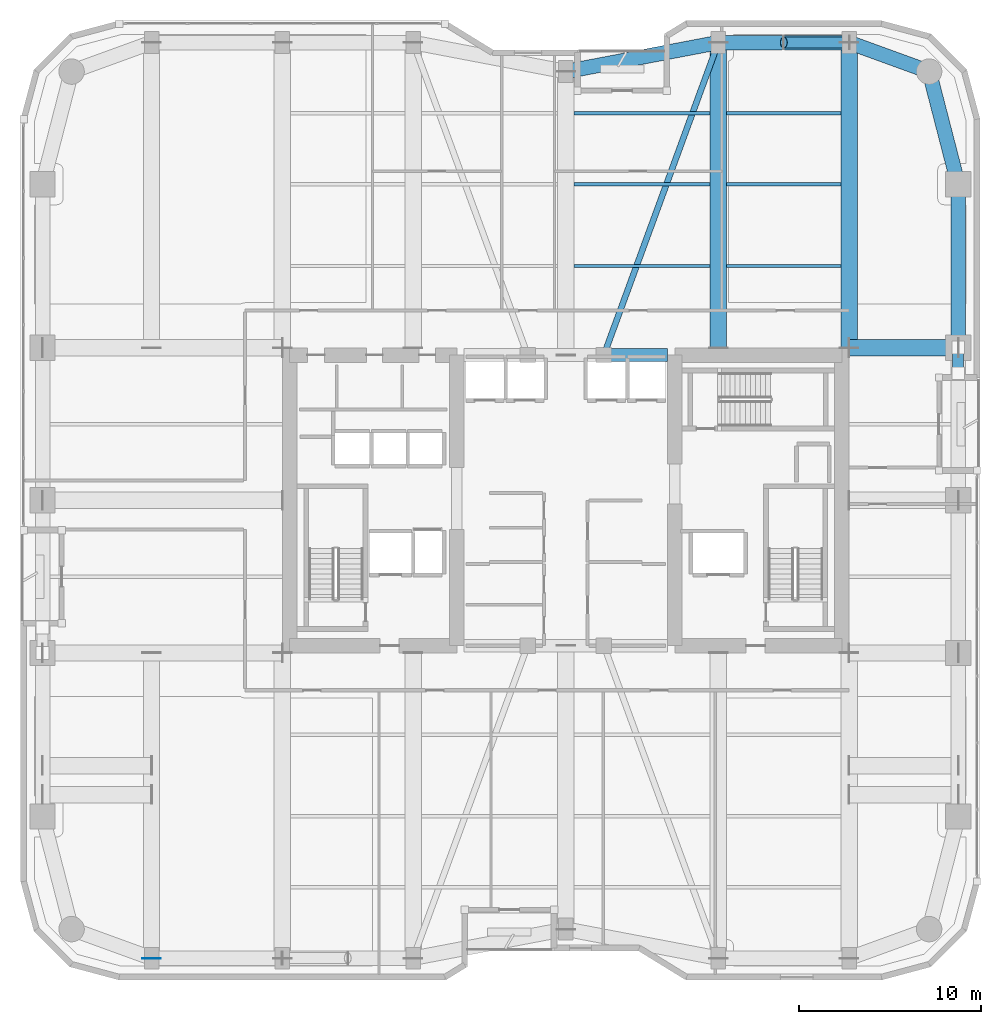
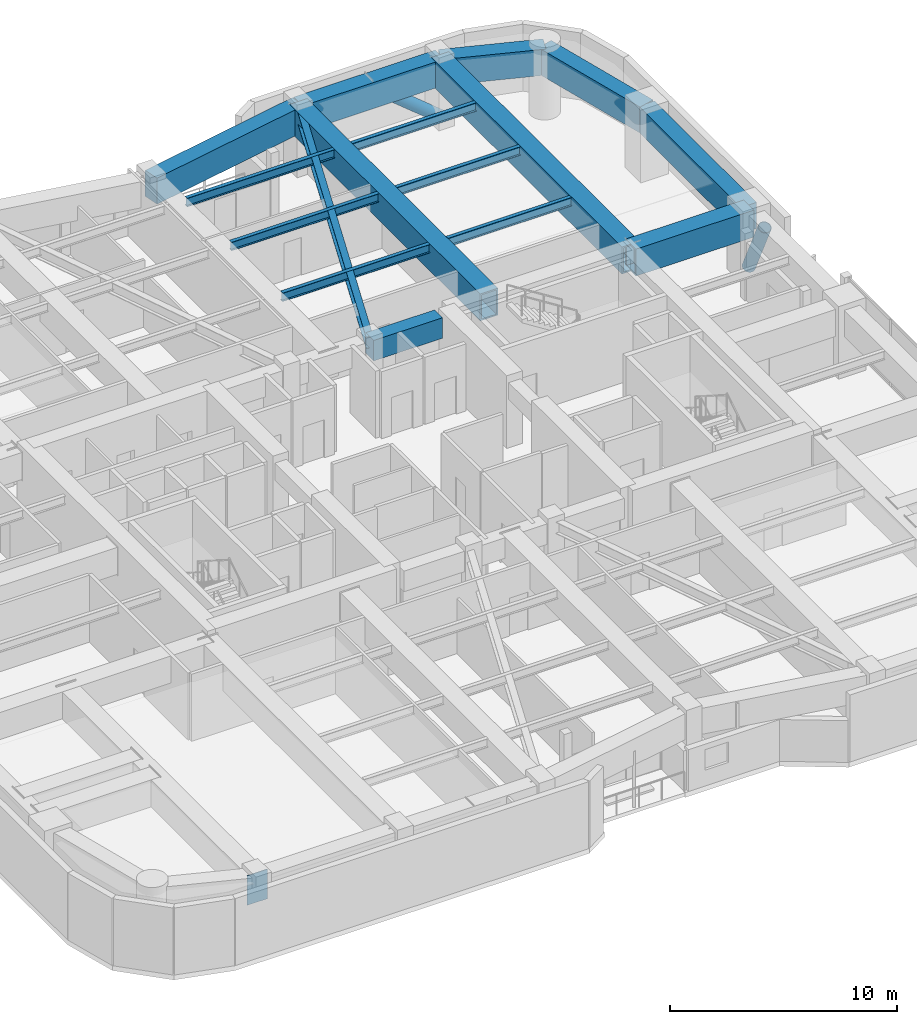
# One storey, part 15 of 25: 16 beams, 2 members, 1 plate.
"""IFC4 building model written with IfcOpenShell, lengths in metres."""

from ifc_helpers import new_model, si_unit, direction, frame, origin, origin_2d, place, context, subcontext, project, spatial, rectangle, hollow_rectangle, hollow_circle, i_section, extrude, material, layer, layer_set, material_profile, profile_set, type_object, element, save


model = new_model("IFC4")

# Units and contexts
model_context = context("Model", 3, precision=1e-05, world=origin(), true_north=direction((0.0, 1.0)))
body_context = subcontext(model_context, "Body", "Model", "MODEL_VIEW")
ifc_project = project(units=[si_unit("LENGTHUNIT", "METRE"), si_unit("AREAUNIT", "SQUARE_METRE"), si_unit("VOLUMEUNIT", "CUBIC_METRE"), si_unit("PLANEANGLEUNIT", "RADIAN"), si_unit("MASSUNIT", "GRAM", prefix="KILO")], contexts=[model_context])

# Site, building, storey
site_placement = place(None, origin())
site = spatial("IfcSite", under=ifc_project, at=site_placement, CompositionType="ELEMENT")
building_placement = place(site_placement, origin())
building = spatial("IfcBuilding", under=site, at=building_placement, Name="Kiyonajd Concourse Tower", CompositionType="ELEMENT")
storey_placement = place(building_placement, frame((0.0, 0.0, 141.60009765625)))
storey = spatial("IfcBuildingStorey", under=building, at=storey_placement, Name="L36", CompositionType="ELEMENT", Elevation=141.60009765625)

# Beams
ifc_material_1 = material(Name="Concrete C70/85", Category="concrete")
ifc_material_profile_1 = material_profile(ifc_material_1, rectangle(XDim=0.699951171875, YDim=1.10009765625, at=origin_2d()), Name="RCBM-700x1100")
ifc_profile_set_1 = profile_set([ifc_material_profile_1], Name="Concrete C70/85")
beam_type_1 = type_object("IfcBeamType", Name="BM-COUP-1100", PredefinedType="LINTEL", material=ifc_profile_set_1)
beam_1_placement = place(storey_placement, frame((50.10009765625, 44.0, 3.0498046875), z_axis=(1.0, 0.0, 0.0), x_axis=(0.0, 1.0, 0.0)))
element("IfcBeam", 1, at=beam_1_placement, inside=storey, type_object=beam_type_1, Name="L36 Core Coupling Beam N3", PredefinedType="LINTEL", context=body_context, shape_type="SweptSolid", body=[
    extrude(rectangle(XDim=0.699951171875, YDim=1.10009765625, at=origin_2d()), origin(), (0.0, 0.0, 1.0), 3.5),
])
ifc_material_2 = material(Name="Steel ASTM A992 Grade 50", Category="steel")
ifc_material_profile_2 = material_profile(ifc_material_2, i_section(OverallWidth=0.19189453125, OverallDepth=0.462890625, WebThickness=0.010498046875, FlangeThickness=0.017578125, at=origin_2d()), Name="W460X89")
ifc_profile_set_2 = profile_set([ifc_material_profile_2], Name="Steel ASTM A992 Grade 50")
beam_type_2 = type_object("IfcBeamType", Name="BM-JST-460B", PredefinedType="JOIST", material=ifc_profile_set_2)
beam_2_placement = place(storey_placement, frame((48.449951171875, 48.89990234375, 3.368408203125), z_axis=(1.0, 0.0, 0.0), x_axis=(0.0, 1.0, 0.0)))
element("IfcBeam", 2, at=beam_2_placement, inside=storey, type_object=beam_type_2, Name="L36 Secondary Floor Joist", PredefinedType="JOIST", context=body_context, shape_type="SweptSolid", body=[
    extrude(i_section(OverallWidth=0.19189453125, OverallDepth=0.462890625, WebThickness=0.010498046875, FlangeThickness=0.017578125, at=origin_2d()), origin(), (0.0, 0.0, 1.0), 7.5),
])
beam_3_placement = place(storey_placement, frame((56.85009765625, 48.89990234375, 3.368408203125), z_axis=(1.0, 0.0, 0.0), x_axis=(0.0, 1.0, 0.0)))
element("IfcBeam", 3, at=beam_3_placement, inside=storey, type_object=beam_type_2, Name="L36 Secondary Floor Joist", PredefinedType="JOIST", context=body_context, shape_type="SweptSolid", body=[
    extrude(i_section(OverallWidth=0.19189453125, OverallDepth=0.462890625, WebThickness=0.010498046875, FlangeThickness=0.017578125, at=origin_2d()), origin(), (0.0, 0.0, 1.0), 6.2998046875),
])
beam_4_placement = place(storey_placement, frame((48.449951171875, 53.39990234375, 3.368408203125), z_axis=(1.0, 0.0, 0.0), x_axis=(0.0, 1.0, 0.0)))
element("IfcBeam", 4, at=beam_4_placement, inside=storey, type_object=beam_type_2, Name="L36 Secondary Floor Joist", PredefinedType="JOIST", context=body_context, shape_type="SweptSolid", body=[
    extrude(i_section(OverallWidth=0.19189453125, OverallDepth=0.462890625, WebThickness=0.010498046875, FlangeThickness=0.017578125, at=origin_2d()), origin(), (0.0, 0.0, 1.0), 7.5),
])
beam_5_placement = place(storey_placement, frame((56.85009765625, 53.39990234375, 3.368408203125), z_axis=(1.0, 0.0, 0.0), x_axis=(0.0, 1.0, 0.0)))
element("IfcBeam", 5, at=beam_5_placement, inside=storey, type_object=beam_type_2, Name="L36 Secondary Floor Joist", PredefinedType="JOIST", context=body_context, shape_type="SweptSolid", body=[
    extrude(i_section(OverallWidth=0.19189453125, OverallDepth=0.462890625, WebThickness=0.010498046875, FlangeThickness=0.017578125, at=origin_2d()), origin(), (0.0, 0.0, 1.0), 6.2998046875),
])
beam_6_placement = place(storey_placement, frame((48.449951171875, 57.300048828125, 3.368408203125), z_axis=(1.0, 0.0, 0.0), x_axis=(0.0, 1.0, 0.0)))
element("IfcBeam", 6, at=beam_6_placement, inside=storey, type_object=beam_type_2, Name="L36 Secondary Floor Joist", PredefinedType="JOIST", context=body_context, shape_type="SweptSolid", body=[
    extrude(i_section(OverallWidth=0.19189453125, OverallDepth=0.462890625, WebThickness=0.010498046875, FlangeThickness=0.017578125, at=origin_2d()), origin(), (0.0, 0.0, 1.0), 7.5),
])
beam_7_placement = place(storey_placement, frame((56.85009765625, 57.300048828125, 3.368408203125), z_axis=(1.0, 0.0, 0.0), x_axis=(0.0, 1.0, 0.0)))
element("IfcBeam", 7, at=beam_7_placement, inside=storey, type_object=beam_type_2, Name="L36 Secondary Floor Joist", PredefinedType="JOIST", context=body_context, shape_type="SweptSolid", body=[
    extrude(i_section(OverallWidth=0.19189453125, OverallDepth=0.462890625, WebThickness=0.010498046875, FlangeThickness=0.017578125, at=origin_2d()), origin(), (0.0, 0.0, 1.0), 6.2998046875),
])
ifc_material_profile_3 = material_profile(ifc_material_2, i_section(OverallWidth=0.326904296875, OverallDepth=0.6220703125, WebThickness=0.015380859375, FlangeThickness=0.0244140625, at=origin_2d()), Name="W610X195")
ifc_profile_set_3 = profile_set([ifc_material_profile_3], Name="Steel ASTM A992 Grade 50")
beam_type_3 = type_object("IfcBeamType", Name="BM-TWR-610A", PredefinedType="BEAM", material=ifc_profile_set_3)
beam_8_placement = place(storey_placement, frame((50.10009765625, 44.0, 3.288818359375), z_axis=(0.343925269715, 0.938997022813, 0.0), x_axis=(-0.938997022813, 0.343925269715, 0.0)))
element("IfcBeam", 8, at=beam_8_placement, inside=storey, type_object=beam_type_3, Name="L36 Core Tie Girder", PredefinedType="BEAM", context=body_context, shape_type="SweptSolid", body=[
    extrude(i_section(OverallWidth=0.326904296875, OverallDepth=0.6220703125, WebThickness=0.015380859375, FlangeThickness=0.0244140625, at=origin_2d()), origin(), (0.0, 0.0, 1.0), 18.3173828125),
])
ifc_material_3 = material(Name="Steel ASTM A572 Grade 50", Category="steel")
ifc_material_profile_4 = material_profile(ifc_material_3, hollow_rectangle(XDim=0.89990234375, YDim=1.449951171875, WallThickness=0.074951171875, at=origin_2d()), Name="BOX-1450x900x75")
ifc_profile_set_4 = profile_set([ifc_material_profile_4], Name="Steel ASTM A572 Grade 50")
beam_type_4 = type_object("IfcBeamType", Name="BM-XFER-1800", PredefinedType="BEAM", material=ifc_profile_set_4)
for number, where, z_axis, x_axis, name in (
    (9, (56.39990234375, 44.39990234375, 2.875), (0.0, 1.0, 0.0), (-1.0, 0.0, 0.0), "L36 North Lease Girder"),
    (10, (63.60009765625, 44.39990234375, 2.875), (0.0, 1.0, 0.0), (-1.0, 0.0, 0.0), "L36 North Lease Girder"),
):
    element("IfcBeam", number, at=place(storey_placement, frame(where, z_axis=z_axis, x_axis=x_axis)), inside=storey, type_object=beam_type_4, Name=name, PredefinedType="BEAM", context=body_context, shape_type="SweptSolid", body=[
        extrude(hollow_rectangle(XDim=0.89990234375, YDim=1.449951171875, WallThickness=0.074951171875, at=origin_2d()), origin(), (0.0, 0.0, 1.0), 16.800048828125),
    ])
beam_9_placement = place(storey_placement, frame((63.60009765625, 44.39990234375, 2.875), z_axis=(1.0, 0.0, 0.0), x_axis=(0.0, 1.0, 0.0)))
element("IfcBeam", 11, at=beam_9_placement, inside=storey, type_object=beam_type_4, Name="L36 East Lease Girder", PredefinedType="BEAM", context=body_context, shape_type="SweptSolid", body=[
    extrude(hollow_rectangle(XDim=0.89990234375, YDim=1.449951171875, WallThickness=0.074951171875, at=origin_2d()), origin(), (0.0, 0.0, 1.0), 6.0),
])
ifc_material_4 = material(Name="Concrete C60/75", Category="concrete")
ifc_material_profile_5 = material_profile(ifc_material_4, rectangle(XDim=0.800048828125, YDim=1.39990234375, at=origin_2d()), Name="RCBM-800x1400")
ifc_profile_set_5 = profile_set([ifc_material_profile_5], Name="Concrete C60/75")
beam_type_5 = type_object("IfcBeamType", Name="BM-XFER-RC", PredefinedType="BEAM", material=ifc_profile_set_5)
beam_10_placement = place(storey_placement, frame((69.60009765625, 44.39990234375, 2.89990234375), z_axis=(0.0, 1.0, 0.0), x_axis=(-1.0, 0.0, 0.0)))
element("IfcBeam", 12, at=beam_10_placement, inside=storey, type_object=beam_type_5, Name="L36 Perimeter Bundled Tube Spandrel", PredefinedType="BEAM", context=body_context, shape_type="SweptSolid", body=[
    extrude(rectangle(XDim=0.800048828125, YDim=1.39990234375, at=origin_2d()), origin(), (0.0, 0.0, 1.0), 9.0),
])
beam_11_placement = place(storey_placement, frame((69.60009765625, 53.39990234375, 2.89990234375), z_axis=(-0.249884937687, 0.968275538221, 0.0), x_axis=(-0.968275538221, -0.249884937687, 0.0)))
element("IfcBeam", 13, at=beam_11_placement, inside=storey, type_object=beam_type_5, Name="L36 Perimeter Bundled Tube Spandrel", PredefinedType="BEAM", context=body_context, shape_type="SweptSolid", body=[
    extrude(rectangle(XDim=0.800048828125, YDim=1.39990234375, at=origin_2d()), origin(), (0.0, 0.0, 1.0), 6.4033203125),
])
beam_12_placement = place(storey_placement, frame((68.0, 59.60009765625, 2.89990234375), z_axis=(-0.939801036019, 0.341722127901, 0.0), x_axis=(-0.341722127901, -0.939801036019, 0.0)))
element("IfcBeam", 14, at=beam_12_placement, inside=storey, type_object=beam_type_5, Name="L36 Perimeter Bundled Tube Spandrel", PredefinedType="BEAM", context=body_context, shape_type="SweptSolid", body=[
    extrude(rectangle(XDim=0.800048828125, YDim=1.39990234375, at=origin_2d()), origin(), (0.0, 0.0, 1.0), 4.681640625),
])
beam_13_placement = place(storey_placement, frame((63.60009765625, 61.199951171875, 2.89990234375), z_axis=(-1.0, 0.0, 0.0), x_axis=(0.0, -1.0, 0.0)))
element("IfcBeam", 15, at=beam_13_placement, inside=storey, type_object=beam_type_5, Name="L36 Perimeter Bundled Tube Spandrel", PredefinedType="BEAM", context=body_context, shape_type="SweptSolid", body=[
    extrude(rectangle(XDim=0.800048828125, YDim=1.39990234375, at=origin_2d()), origin(), (0.0, 0.0, 1.0), 7.2001953125),
])
beam_14_placement = place(storey_placement, frame((56.39990234375, 61.199951171875, 2.89990234375), z_axis=(-0.982341315253, -0.187097675953, 0.0), x_axis=(0.187097675953, -0.982341315253, 0.0)))
element("IfcBeam", 16, at=beam_14_placement, inside=storey, type_object=beam_type_5, Name="L36 Perimeter Bundled Tube Spandrel", PredefinedType="BEAM", context=body_context, shape_type="SweptSolid", body=[
    extrude(rectangle(XDim=0.800048828125, YDim=1.39990234375, at=origin_2d()), origin(), (0.0, 0.0, 1.0), 8.55078125),
])

# Members
ifc_material_profile_6 = material_profile(ifc_material_3, hollow_circle(Radius=0.304931640625, WallThickness=0.02490234375, at=origin_2d()), Name="CHS-610x25")
ifc_profile_set_6 = profile_set([ifc_material_profile_6], Name="Steel ASTM A572 Grade 50")
member_type = type_object("IfcMemberType", Name="MB-PB-LOW", PredefinedType="BRACE", material=ifc_profile_set_6)
member_1_placement = place(storey_placement, frame((63.60009765625, 61.199951171875, 0.2998046875), z_axis=(-0.773466297225, 0.0, 0.633837429517), x_axis=(0.0, -1.0, 0.0)))
element("IfcMember", 17, at=member_1_placement, inside=storey, type_object=member_type, Name="L36 Lower Zone Welded Tube Brace PBN", PredefinedType="BRACE", context=body_context, shape_type="SweptSolid", body=[
    extrude(hollow_circle(Radius=0.304931640625, WallThickness=0.02490234375, at=origin_2d()), origin(), (0.0, 0.0, 1.0), 4.654541015625),
])
member_2_placement = place(storey_placement, frame((69.60009765625, 44.39990234375, 0.2998046875), z_axis=(0.0, -0.428696876214, 0.903448387194), x_axis=(1.0, 0.0, 0.0)))
element("IfcMember", 18, at=member_2_placement, inside=storey, type_object=member_type, Name="L36 Lower Zone Welded Tube Brace PBE", PredefinedType="BRACE", context=body_context, shape_type="SweptSolid", body=[
    extrude(hollow_circle(Radius=0.304931640625, WallThickness=0.02490234375, at=origin_2d()), origin(), (0.0, 0.0, 1.0), 3.265380859375),
])

# Plate
ifc_layer = layer(ifc_material_3, 0.031982421875)
ifc_layer_set = layer_set([ifc_layer], Name="Steel ASTM A572 Grade 50")
plate_type = type_object("IfcPlateType", Name="PL-CAP-540", PredefinedType="USERDEFINED", material=ifc_layer_set)
plate_placement = place(storey_placement, frame((25.199951171875, 10.7890625, 2.080078125), z_axis=(0.0, 0.0, 1.0), x_axis=(0.0, -1.0, 0.0)))
element("IfcPlate", 19, at=plate_placement, inside=storey, type_object=plate_type, Name="L36 Welded Box Girder End Cap", ObjectType="CAP PLATE", PredefinedType="USERDEFINED", context=body_context, shape_type="SweptSolid", body=[
    extrude(rectangle(XDim=0.035888671875, YDim=1.02001953125, at=origin_2d()), origin(), (0.0, 0.0, 1.0), 1.590087890625),
])

save(model, "model.ifc")
